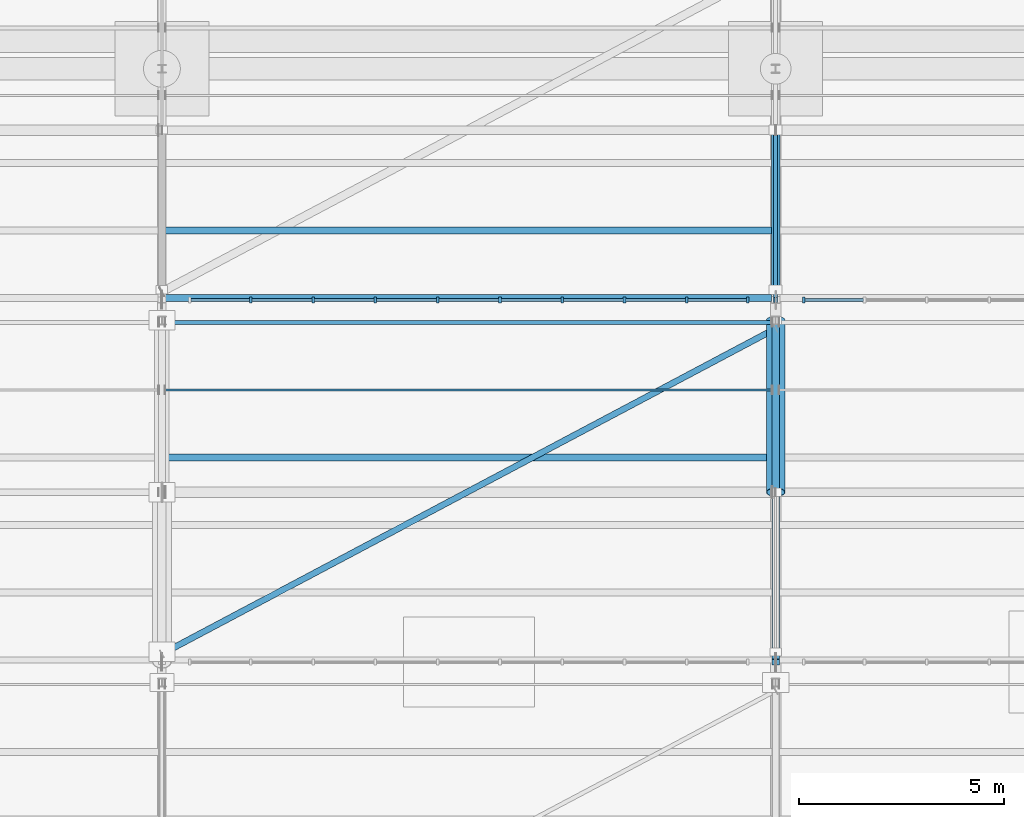
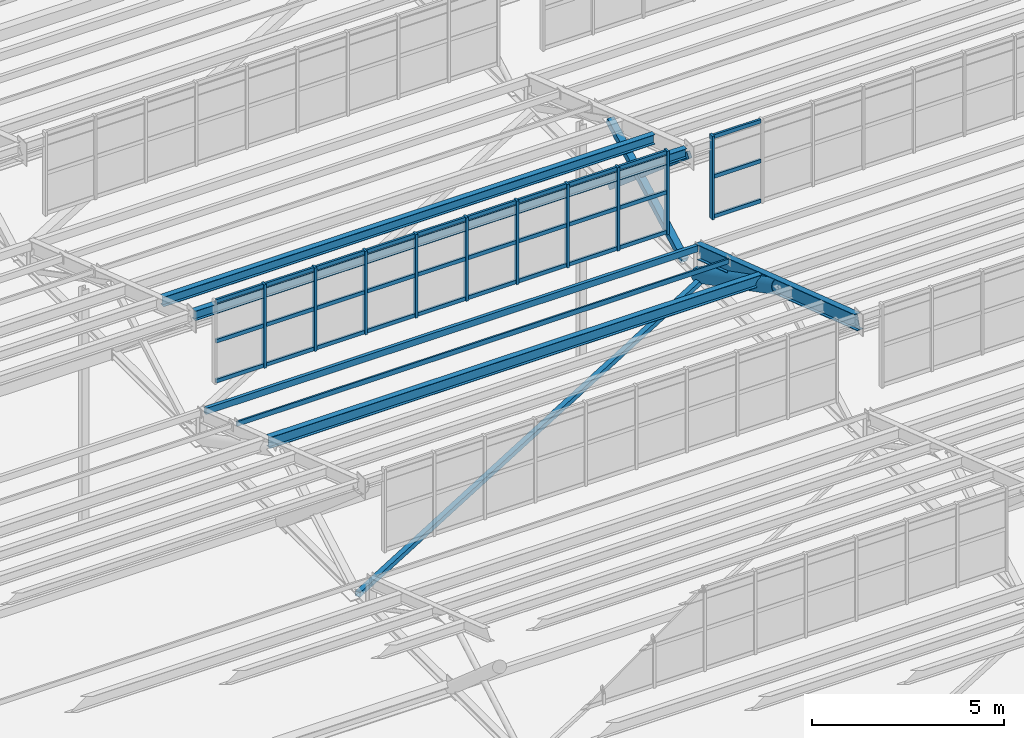
# One storey, part 64 of 285: 44 members, 6 beams, 2 elements without a shape of their own.
"""IFC4 building model written with IfcOpenShell, lengths in metres."""

from ifc_helpers import new_model, si_unit, direction, frame, origin, origin_2d, place, context, subcontext, project, spatial, rectangle, hollow_rectangle, hollow_circle, i_section, extrude, material, material_profile, profile_set, type_object, element, aggregate, save


model = new_model("IFC4")

# Units and contexts
model_context = context("Model", 3, precision=1e-05, world=origin(), true_north=direction((0.0, 1.0)))
body_context = subcontext(model_context, "Body", "Model", "MODEL_VIEW")
ifc_project = project(units=[si_unit("LENGTHUNIT", "METRE"), si_unit("AREAUNIT", "SQUARE_METRE"), si_unit("VOLUMEUNIT", "CUBIC_METRE"), si_unit("PLANEANGLEUNIT", "RADIAN"), si_unit("MASSUNIT", "GRAM", prefix="KILO")], contexts=[model_context])

# Site, building, storey
site_placement = place(None, origin())
site = spatial("IfcSite", under=ifc_project, at=site_placement, CompositionType="ELEMENT")
building_placement = place(site_placement, origin())
building = spatial("IfcBuilding", under=site, at=building_placement, Name="Solanera Park Tramway Depot", CompositionType="ELEMENT")
storey_placement = place(building_placement, origin())
storey = spatial("IfcBuildingStorey", under=building, at=storey_placement, Name="L00", CompositionType="ELEMENT", Elevation=0.0)

# Curtain wall, members
ifc_material_1 = material(Name="Bronze-anodised thermally broken aluminium curtain wall", Category="aluminium")
curtain_wall_type = type_object("IfcCurtainWallType", Name="Sawtooth Clerestory Monitor Curtain Wall", PredefinedType="NOTDEFINED", material=ifc_material_1)
curtain_wall_1_placement = place(storey_placement, origin())
curtain_wall_1 = element("IfcCurtainWall", 1, at=curtain_wall_1_placement, inside=storey, type_object=curtain_wall_type, Name="L00 Sawtooth Clerestory Monitor Curtain Wall #044", PredefinedType="NOTDEFINED")
ifc_material_2 = material(Name="Bronze-anodised structural aluminium 6063-T6", Category="aluminium")
ifc_material_profile_1 = material_profile(ifc_material_2, rectangle(XDim=0.06494140625, YDim=0.14990234375, at=origin_2d()), Name="Curtain Wall Mullion 65x150")
ifc_profile_set_1 = profile_set([ifc_material_profile_1], Name="Bronze-anodised structural aluminium 6063-T6")
member_type_1 = type_object("IfcMemberType", Name="Curtain Wall Mullion 65x150", PredefinedType="MULLION", material=ifc_profile_set_1)
member_1_placement = place(storey_placement, frame((17.172119140625, 108.85009765625, 7.75), z_axis=(0.0, 0.0, 1.0), x_axis=(1.0, 0.0, 0.0)))
member_1 = element("IfcMember", 2, at=member_1_placement, type_object=member_type_1, Name="CW-L00-044 Mullion 2", PredefinedType="MULLION", context=body_context, shape_type="SweptSolid", body=[
    extrude(rectangle(XDim=0.06494140625, YDim=0.14990234375, at=origin_2d()), origin(), (0.0, 0.0, 1.0), 2.6611328125),
])
member_2_placement = place(storey_placement, frame((18.6943359375, 108.85009765625, 7.75), z_axis=(0.0, 0.0, 1.0), x_axis=(1.0, 0.0, 0.0)))
member_2 = element("IfcMember", 3, at=member_2_placement, type_object=member_type_1, Name="CW-L00-044 Mullion 3", PredefinedType="MULLION", context=body_context, shape_type="SweptSolid", body=[
    extrude(rectangle(XDim=0.06494140625, YDim=0.14990234375, at=origin_2d()), origin(), (0.0, 0.0, 1.0), 2.6611328125),
])
member_3_placement = place(storey_placement, frame((20.216796875, 108.85009765625, 7.75), z_axis=(0.0, 0.0, 1.0), x_axis=(1.0, 0.0, 0.0)))
member_3 = element("IfcMember", 4, at=member_3_placement, type_object=member_type_1, Name="CW-L00-044 Mullion 4", PredefinedType="MULLION", context=body_context, shape_type="SweptSolid", body=[
    extrude(rectangle(XDim=0.06494140625, YDim=0.14990234375, at=origin_2d()), origin(), (0.0, 0.0, 1.0), 2.6611328125),
])
member_4_placement = place(storey_placement, frame((21.739013671875, 108.85009765625, 7.75), z_axis=(0.0, 0.0, 1.0), x_axis=(1.0, 0.0, 0.0)))
member_4 = element("IfcMember", 5, at=member_4_placement, type_object=member_type_1, Name="CW-L00-044 Mullion 5", PredefinedType="MULLION", context=body_context, shape_type="SweptSolid", body=[
    extrude(rectangle(XDim=0.06494140625, YDim=0.14990234375, at=origin_2d()), origin(), (0.0, 0.0, 1.0), 2.6611328125),
])
member_5_placement = place(storey_placement, frame((23.260986328125, 108.85009765625, 7.75), z_axis=(0.0, 0.0, 1.0), x_axis=(1.0, 0.0, 0.0)))
member_5 = element("IfcMember", 6, at=member_5_placement, type_object=member_type_1, Name="CW-L00-044 Mullion 6", PredefinedType="MULLION", context=body_context, shape_type="SweptSolid", body=[
    extrude(rectangle(XDim=0.06494140625, YDim=0.14990234375, at=origin_2d()), origin(), (0.0, 0.0, 1.0), 2.6611328125),
])
member_6_placement = place(storey_placement, frame((24.783203125, 108.85009765625, 7.75), z_axis=(0.0, 0.0, 1.0), x_axis=(1.0, 0.0, 0.0)))
member_6 = element("IfcMember", 7, at=member_6_placement, type_object=member_type_1, Name="CW-L00-044 Mullion 7", PredefinedType="MULLION", context=body_context, shape_type="SweptSolid", body=[
    extrude(rectangle(XDim=0.06494140625, YDim=0.14990234375, at=origin_2d()), origin(), (0.0, 0.0, 1.0), 2.6611328125),
])
member_7_placement = place(storey_placement, frame((26.3056640625, 108.85009765625, 7.75), z_axis=(0.0, 0.0, 1.0), x_axis=(1.0, 0.0, 0.0)))
member_7 = element("IfcMember", 8, at=member_7_placement, type_object=member_type_1, Name="CW-L00-044 Mullion 8", PredefinedType="MULLION", context=body_context, shape_type="SweptSolid", body=[
    extrude(rectangle(XDim=0.06494140625, YDim=0.14990234375, at=origin_2d()), origin(), (0.0, 0.0, 1.0), 2.6611328125),
])
member_8_placement = place(storey_placement, frame((27.827880859375, 108.85009765625, 7.75), z_axis=(0.0, 0.0, 1.0), x_axis=(1.0, 0.0, 0.0)))
member_8 = element("IfcMember", 9, at=member_8_placement, type_object=member_type_1, Name="CW-L00-044 Mullion 9", PredefinedType="MULLION", context=body_context, shape_type="SweptSolid", body=[
    extrude(rectangle(XDim=0.06494140625, YDim=0.14990234375, at=origin_2d()), origin(), (0.0, 0.0, 1.0), 2.6611328125),
])
member_9_placement = place(storey_placement, frame((29.3173828125, 108.85009765625, 7.75), z_axis=(0.0, 0.0, 1.0), x_axis=(1.0, 0.0, 0.0)))
member_9 = element("IfcMember", 10, at=member_9_placement, type_object=member_type_1, Name="CW-L00-044 Mullion 10", PredefinedType="MULLION", context=body_context, shape_type="SweptSolid", body=[
    extrude(rectangle(XDim=0.06494140625, YDim=0.14990234375, at=origin_2d()), origin(), (0.0, 0.0, 1.0), 2.6611328125),
])

# Curtain wall, member
curtain_wall_2_placement = place(storey_placement, origin())
curtain_wall_2 = element("IfcCurtainWall", 11, at=curtain_wall_2_placement, inside=storey, type_object=curtain_wall_type, Name="L00 Sawtooth Clerestory Monitor Curtain Wall #045", PredefinedType="NOTDEFINED")
member_10_placement = place(storey_placement, frame((30.6826171875, 108.85009765625, 7.75), z_axis=(0.0, 0.0, 1.0), x_axis=(1.0, 0.0, 0.0)))
member_10 = element("IfcMember", 12, at=member_10_placement, type_object=member_type_1, Name="CW-L00-045 Mullion 1", PredefinedType="MULLION", context=body_context, shape_type="SweptSolid", body=[
    extrude(rectangle(XDim=0.06494140625, YDim=0.14990234375, at=origin_2d()), origin(), (0.0, 0.0, 1.0), 2.6611328125),
])

# Member
ifc_material_3 = material(Name="Bronze-anodised structural aluminium 6063-T6", Category="aluminium")
ifc_material_profile_2 = material_profile(ifc_material_3, rectangle(XDim=0.06494140625, YDim=0.1201171875, at=origin_2d()), Name="Curtain Wall Transom 65x120")
ifc_profile_set_2 = profile_set([ifc_material_profile_2], Name="Bronze-anodised structural aluminium 6063-T6")
member_type_2 = type_object("IfcMemberType", Name="Curtain Wall Transom 65x120", PredefinedType="USERDEFINED", material=ifc_profile_set_2)
member_11_placement = place(storey_placement, frame((15.71044921875, 108.85009765625, 7.81005859375), z_axis=(1.0, 0.0, 0.0), x_axis=(0.0, 1.0, 0.0)))
member_11 = element("IfcMember", 13, at=member_11_placement, type_object=member_type_2, Name="CW-L00-044 Transom R1.C1", ObjectType="TRANSOM", PredefinedType="USERDEFINED", context=body_context, shape_type="SweptSolid", body=[
    extrude(rectangle(XDim=0.06494140625, YDim=0.1201171875, at=origin_2d()), origin(), (0.0, 0.0, 1.0), 1.433837890625),
])

member_12_placement = place(storey_placement, frame((17.2001953125, 108.85009765625, 7.81005859375), z_axis=(1.0, 0.0, 0.0), x_axis=(0.0, 1.0, 0.0)))
member_12 = element("IfcMember", 14, at=member_12_placement, type_object=member_type_2, Name="CW-L00-044 Transom R1.C2", ObjectType="TRANSOM", PredefinedType="USERDEFINED", context=body_context, shape_type="SweptSolid", body=[
    extrude(rectangle(XDim=0.06494140625, YDim=0.1201171875, at=origin_2d()), origin(), (0.0, 0.0, 1.0), 1.46630859375),
])

member_13_placement = place(storey_placement, frame((18.722412109375, 108.85009765625, 7.81005859375), z_axis=(1.0, 0.0, 0.0), x_axis=(0.0, 1.0, 0.0)))
member_13 = element("IfcMember", 15, at=member_13_placement, type_object=member_type_2, Name="CW-L00-044 Transom R1.C3", ObjectType="TRANSOM", PredefinedType="USERDEFINED", context=body_context, shape_type="SweptSolid", body=[
    extrude(rectangle(XDim=0.06494140625, YDim=0.1201171875, at=origin_2d()), origin(), (0.0, 0.0, 1.0), 1.46630859375),
])

member_14_placement = place(storey_placement, frame((20.24462890625, 108.85009765625, 7.81005859375), z_axis=(1.0, 0.0, 0.0), x_axis=(0.0, 1.0, 0.0)))
member_14 = element("IfcMember", 16, at=member_14_placement, type_object=member_type_2, Name="CW-L00-044 Transom R1.C4", ObjectType="TRANSOM", PredefinedType="USERDEFINED", context=body_context, shape_type="SweptSolid", body=[
    extrude(rectangle(XDim=0.06494140625, YDim=0.1201171875, at=origin_2d()), origin(), (0.0, 0.0, 1.0), 1.46630859375),
])

member_15_placement = place(storey_placement, frame((21.766845703125, 108.85009765625, 7.81005859375), z_axis=(1.0, 0.0, 0.0), x_axis=(0.0, 1.0, 0.0)))
member_15 = element("IfcMember", 17, at=member_15_placement, type_object=member_type_2, Name="CW-L00-044 Transom R1.C5", ObjectType="TRANSOM", PredefinedType="USERDEFINED", context=body_context, shape_type="SweptSolid", body=[
    extrude(rectangle(XDim=0.06494140625, YDim=0.1201171875, at=origin_2d()), origin(), (0.0, 0.0, 1.0), 1.46630859375),
])

member_16_placement = place(storey_placement, frame((23.2890625, 108.85009765625, 7.81005859375), z_axis=(1.0, 0.0, 0.0), x_axis=(0.0, 1.0, 0.0)))
member_16 = element("IfcMember", 18, at=member_16_placement, type_object=member_type_2, Name="CW-L00-044 Transom R1.C6", ObjectType="TRANSOM", PredefinedType="USERDEFINED", context=body_context, shape_type="SweptSolid", body=[
    extrude(rectangle(XDim=0.06494140625, YDim=0.1201171875, at=origin_2d()), origin(), (0.0, 0.0, 1.0), 1.46630859375),
])

member_17_placement = place(storey_placement, frame((24.811279296875, 108.85009765625, 7.81005859375), z_axis=(1.0, 0.0, 0.0), x_axis=(0.0, 1.0, 0.0)))
member_17 = element("IfcMember", 19, at=member_17_placement, type_object=member_type_2, Name="CW-L00-044 Transom R1.C7", ObjectType="TRANSOM", PredefinedType="USERDEFINED", context=body_context, shape_type="SweptSolid", body=[
    extrude(rectangle(XDim=0.06494140625, YDim=0.1201171875, at=origin_2d()), origin(), (0.0, 0.0, 1.0), 1.46630859375),
])

member_18_placement = place(storey_placement, frame((26.33349609375, 108.85009765625, 7.81005859375), z_axis=(1.0, 0.0, 0.0), x_axis=(0.0, 1.0, 0.0)))
member_18 = element("IfcMember", 20, at=member_18_placement, type_object=member_type_2, Name="CW-L00-044 Transom R1.C8", ObjectType="TRANSOM", PredefinedType="USERDEFINED", context=body_context, shape_type="SweptSolid", body=[
    extrude(rectangle(XDim=0.06494140625, YDim=0.1201171875, at=origin_2d()), origin(), (0.0, 0.0, 1.0), 1.46630859375),
])

member_19_placement = place(storey_placement, frame((27.855712890625, 108.85009765625, 7.81005859375), z_axis=(1.0, 0.0, 0.0), x_axis=(0.0, 1.0, 0.0)))
member_19 = element("IfcMember", 21, at=member_19_placement, type_object=member_type_2, Name="CW-L00-044 Transom R1.C9", ObjectType="TRANSOM", PredefinedType="USERDEFINED", context=body_context, shape_type="SweptSolid", body=[
    extrude(rectangle(XDim=0.06494140625, YDim=0.1201171875, at=origin_2d()), origin(), (0.0, 0.0, 1.0), 1.433837890625),
])

member_20_placement = place(storey_placement, frame((15.71044921875, 108.85009765625, 9.08056640625), z_axis=(1.0, 0.0, 0.0), x_axis=(0.0, 1.0, 0.0)))
member_20 = element("IfcMember", 22, at=member_20_placement, type_object=member_type_2, Name="CW-L00-044 Transom R2.C1", ObjectType="TRANSOM", PredefinedType="USERDEFINED", context=body_context, shape_type="SweptSolid", body=[
    extrude(rectangle(XDim=0.06494140625, YDim=0.1201171875, at=origin_2d()), origin(), (0.0, 0.0, 1.0), 1.433837890625),
])

member_21_placement = place(storey_placement, frame((17.2001953125, 108.85009765625, 9.08056640625), z_axis=(1.0, 0.0, 0.0), x_axis=(0.0, 1.0, 0.0)))
member_21 = element("IfcMember", 23, at=member_21_placement, type_object=member_type_2, Name="CW-L00-044 Transom R2.C2", ObjectType="TRANSOM", PredefinedType="USERDEFINED", context=body_context, shape_type="SweptSolid", body=[
    extrude(rectangle(XDim=0.06494140625, YDim=0.1201171875, at=origin_2d()), origin(), (0.0, 0.0, 1.0), 1.46630859375),
])

member_22_placement = place(storey_placement, frame((18.722412109375, 108.85009765625, 9.08056640625), z_axis=(1.0, 0.0, 0.0), x_axis=(0.0, 1.0, 0.0)))
member_22 = element("IfcMember", 24, at=member_22_placement, type_object=member_type_2, Name="CW-L00-044 Transom R2.C3", ObjectType="TRANSOM", PredefinedType="USERDEFINED", context=body_context, shape_type="SweptSolid", body=[
    extrude(rectangle(XDim=0.06494140625, YDim=0.1201171875, at=origin_2d()), origin(), (0.0, 0.0, 1.0), 1.46630859375),
])

member_23_placement = place(storey_placement, frame((20.24462890625, 108.85009765625, 9.08056640625), z_axis=(1.0, 0.0, 0.0), x_axis=(0.0, 1.0, 0.0)))
member_23 = element("IfcMember", 25, at=member_23_placement, type_object=member_type_2, Name="CW-L00-044 Transom R2.C4", ObjectType="TRANSOM", PredefinedType="USERDEFINED", context=body_context, shape_type="SweptSolid", body=[
    extrude(rectangle(XDim=0.06494140625, YDim=0.1201171875, at=origin_2d()), origin(), (0.0, 0.0, 1.0), 1.46630859375),
])

member_24_placement = place(storey_placement, frame((21.766845703125, 108.85009765625, 9.08056640625), z_axis=(1.0, 0.0, 0.0), x_axis=(0.0, 1.0, 0.0)))
member_24 = element("IfcMember", 26, at=member_24_placement, type_object=member_type_2, Name="CW-L00-044 Transom R2.C5", ObjectType="TRANSOM", PredefinedType="USERDEFINED", context=body_context, shape_type="SweptSolid", body=[
    extrude(rectangle(XDim=0.06494140625, YDim=0.1201171875, at=origin_2d()), origin(), (0.0, 0.0, 1.0), 1.46630859375),
])

member_25_placement = place(storey_placement, frame((23.2890625, 108.85009765625, 9.08056640625), z_axis=(1.0, 0.0, 0.0), x_axis=(0.0, 1.0, 0.0)))
member_25 = element("IfcMember", 27, at=member_25_placement, type_object=member_type_2, Name="CW-L00-044 Transom R2.C6", ObjectType="TRANSOM", PredefinedType="USERDEFINED", context=body_context, shape_type="SweptSolid", body=[
    extrude(rectangle(XDim=0.06494140625, YDim=0.1201171875, at=origin_2d()), origin(), (0.0, 0.0, 1.0), 1.46630859375),
])

member_26_placement = place(storey_placement, frame((24.811279296875, 108.85009765625, 9.08056640625), z_axis=(1.0, 0.0, 0.0), x_axis=(0.0, 1.0, 0.0)))
member_26 = element("IfcMember", 28, at=member_26_placement, type_object=member_type_2, Name="CW-L00-044 Transom R2.C7", ObjectType="TRANSOM", PredefinedType="USERDEFINED", context=body_context, shape_type="SweptSolid", body=[
    extrude(rectangle(XDim=0.06494140625, YDim=0.1201171875, at=origin_2d()), origin(), (0.0, 0.0, 1.0), 1.46630859375),
])

member_27_placement = place(storey_placement, frame((26.33349609375, 108.85009765625, 9.08056640625), z_axis=(1.0, 0.0, 0.0), x_axis=(0.0, 1.0, 0.0)))
member_27 = element("IfcMember", 29, at=member_27_placement, type_object=member_type_2, Name="CW-L00-044 Transom R2.C8", ObjectType="TRANSOM", PredefinedType="USERDEFINED", context=body_context, shape_type="SweptSolid", body=[
    extrude(rectangle(XDim=0.06494140625, YDim=0.1201171875, at=origin_2d()), origin(), (0.0, 0.0, 1.0), 1.46630859375),
])

member_28_placement = place(storey_placement, frame((27.855712890625, 108.85009765625, 9.08056640625), z_axis=(1.0, 0.0, 0.0), x_axis=(0.0, 1.0, 0.0)))
member_28 = element("IfcMember", 30, at=member_28_placement, type_object=member_type_2, Name="CW-L00-044 Transom R2.C9", ObjectType="TRANSOM", PredefinedType="USERDEFINED", context=body_context, shape_type="SweptSolid", body=[
    extrude(rectangle(XDim=0.06494140625, YDim=0.1201171875, at=origin_2d()), origin(), (0.0, 0.0, 1.0), 1.433837890625),
])

member_29_placement = place(storey_placement, frame((15.71044921875, 108.85009765625, 10.351318359375), z_axis=(1.0, 0.0, 0.0), x_axis=(0.0, 1.0, 0.0)))
member_29 = element("IfcMember", 31, at=member_29_placement, type_object=member_type_2, Name="CW-L00-044 Transom R3.C1", ObjectType="TRANSOM", PredefinedType="USERDEFINED", context=body_context, shape_type="SweptSolid", body=[
    extrude(rectangle(XDim=0.06494140625, YDim=0.1201171875, at=origin_2d()), origin(), (0.0, 0.0, 1.0), 1.433837890625),
])

member_30_placement = place(storey_placement, frame((17.2001953125, 108.85009765625, 10.351318359375), z_axis=(1.0, 0.0, 0.0), x_axis=(0.0, 1.0, 0.0)))
member_30 = element("IfcMember", 32, at=member_30_placement, type_object=member_type_2, Name="CW-L00-044 Transom R3.C2", ObjectType="TRANSOM", PredefinedType="USERDEFINED", context=body_context, shape_type="SweptSolid", body=[
    extrude(rectangle(XDim=0.06494140625, YDim=0.1201171875, at=origin_2d()), origin(), (0.0, 0.0, 1.0), 1.46630859375),
])

member_31_placement = place(storey_placement, frame((18.722412109375, 108.85009765625, 10.351318359375), z_axis=(1.0, 0.0, 0.0), x_axis=(0.0, 1.0, 0.0)))
member_31 = element("IfcMember", 33, at=member_31_placement, type_object=member_type_2, Name="CW-L00-044 Transom R3.C3", ObjectType="TRANSOM", PredefinedType="USERDEFINED", context=body_context, shape_type="SweptSolid", body=[
    extrude(rectangle(XDim=0.06494140625, YDim=0.1201171875, at=origin_2d()), origin(), (0.0, 0.0, 1.0), 1.46630859375),
])

member_32_placement = place(storey_placement, frame((20.24462890625, 108.85009765625, 10.351318359375), z_axis=(1.0, 0.0, 0.0), x_axis=(0.0, 1.0, 0.0)))
member_32 = element("IfcMember", 34, at=member_32_placement, type_object=member_type_2, Name="CW-L00-044 Transom R3.C4", ObjectType="TRANSOM", PredefinedType="USERDEFINED", context=body_context, shape_type="SweptSolid", body=[
    extrude(rectangle(XDim=0.06494140625, YDim=0.1201171875, at=origin_2d()), origin(), (0.0, 0.0, 1.0), 1.46630859375),
])

member_33_placement = place(storey_placement, frame((21.766845703125, 108.85009765625, 10.351318359375), z_axis=(1.0, 0.0, 0.0), x_axis=(0.0, 1.0, 0.0)))
member_33 = element("IfcMember", 35, at=member_33_placement, type_object=member_type_2, Name="CW-L00-044 Transom R3.C5", ObjectType="TRANSOM", PredefinedType="USERDEFINED", context=body_context, shape_type="SweptSolid", body=[
    extrude(rectangle(XDim=0.06494140625, YDim=0.1201171875, at=origin_2d()), origin(), (0.0, 0.0, 1.0), 1.46630859375),
])

member_34_placement = place(storey_placement, frame((23.2890625, 108.85009765625, 10.351318359375), z_axis=(1.0, 0.0, 0.0), x_axis=(0.0, 1.0, 0.0)))
member_34 = element("IfcMember", 36, at=member_34_placement, type_object=member_type_2, Name="CW-L00-044 Transom R3.C6", ObjectType="TRANSOM", PredefinedType="USERDEFINED", context=body_context, shape_type="SweptSolid", body=[
    extrude(rectangle(XDim=0.06494140625, YDim=0.1201171875, at=origin_2d()), origin(), (0.0, 0.0, 1.0), 1.46630859375),
])

member_35_placement = place(storey_placement, frame((24.811279296875, 108.85009765625, 10.351318359375), z_axis=(1.0, 0.0, 0.0), x_axis=(0.0, 1.0, 0.0)))
member_35 = element("IfcMember", 37, at=member_35_placement, type_object=member_type_2, Name="CW-L00-044 Transom R3.C7", ObjectType="TRANSOM", PredefinedType="USERDEFINED", context=body_context, shape_type="SweptSolid", body=[
    extrude(rectangle(XDim=0.06494140625, YDim=0.1201171875, at=origin_2d()), origin(), (0.0, 0.0, 1.0), 1.46630859375),
])

member_36_placement = place(storey_placement, frame((26.33349609375, 108.85009765625, 10.351318359375), z_axis=(1.0, 0.0, 0.0), x_axis=(0.0, 1.0, 0.0)))
member_36 = element("IfcMember", 38, at=member_36_placement, type_object=member_type_2, Name="CW-L00-044 Transom R3.C8", ObjectType="TRANSOM", PredefinedType="USERDEFINED", context=body_context, shape_type="SweptSolid", body=[
    extrude(rectangle(XDim=0.06494140625, YDim=0.1201171875, at=origin_2d()), origin(), (0.0, 0.0, 1.0), 1.46630859375),
])

member_37_placement = place(storey_placement, frame((27.855712890625, 108.85009765625, 10.351318359375), z_axis=(1.0, 0.0, 0.0), x_axis=(0.0, 1.0, 0.0)))
member_37 = element("IfcMember", 39, at=member_37_placement, type_object=member_type_2, Name="CW-L00-044 Transom R3.C9", ObjectType="TRANSOM", PredefinedType="USERDEFINED", context=body_context, shape_type="SweptSolid", body=[
    extrude(rectangle(XDim=0.06494140625, YDim=0.1201171875, at=origin_2d()), origin(), (0.0, 0.0, 1.0), 1.433837890625),
])

aggregate(curtain_wall_1, [member_1, member_2, member_3, member_4, member_5, member_6, member_7, member_8, member_9, member_11, member_12, member_13, member_14, member_15, member_16, member_17, member_18, member_19, member_20, member_21, member_22, member_23, member_24, member_25, member_26, member_27, member_28, member_29, member_30, member_31, member_32, member_33, member_34, member_35, member_36, member_37])

member_38_placement = place(storey_placement, frame((30.71044921875, 108.85009765625, 7.81005859375), z_axis=(1.0, 0.0, 0.0), x_axis=(0.0, 1.0, 0.0)))
member_38 = element("IfcMember", 40, at=member_38_placement, type_object=member_type_2, Name="CW-L00-045 Transom R1.C1", ObjectType="TRANSOM", PredefinedType="USERDEFINED", context=body_context, shape_type="SweptSolid", body=[
    extrude(rectangle(XDim=0.06494140625, YDim=0.1201171875, at=origin_2d()), origin(), (0.0, 0.0, 1.0), 1.433837890625),
])

member_39_placement = place(storey_placement, frame((30.71044921875, 108.85009765625, 9.08056640625), z_axis=(1.0, 0.0, 0.0), x_axis=(0.0, 1.0, 0.0)))
member_39 = element("IfcMember", 41, at=member_39_placement, type_object=member_type_2, Name="CW-L00-045 Transom R2.C1", ObjectType="TRANSOM", PredefinedType="USERDEFINED", context=body_context, shape_type="SweptSolid", body=[
    extrude(rectangle(XDim=0.06494140625, YDim=0.1201171875, at=origin_2d()), origin(), (0.0, 0.0, 1.0), 1.433837890625),
])

member_40_placement = place(storey_placement, frame((30.71044921875, 108.85009765625, 10.351318359375), z_axis=(1.0, 0.0, 0.0), x_axis=(0.0, 1.0, 0.0)))
member_40 = element("IfcMember", 42, at=member_40_placement, type_object=member_type_2, Name="CW-L00-045 Transom R3.C1", ObjectType="TRANSOM", PredefinedType="USERDEFINED", context=body_context, shape_type="SweptSolid", body=[
    extrude(rectangle(XDim=0.06494140625, YDim=0.1201171875, at=origin_2d()), origin(), (0.0, 0.0, 1.0), 1.433837890625),
])

aggregate(curtain_wall_2, [member_10, member_38, member_39, member_40])

ifc_material_4 = material(Name="Steel AS/NZS 1163 Grade C350L0", Category="steel")
ifc_material_profile_3 = material_profile(ifc_material_4, hollow_rectangle(XDim=0.199951171875, YDim=0.199951171875, WallThickness=0.008056640625, at=origin_2d()), Name="200x200x8.0 SHS")
ifc_profile_set_3 = profile_set([ifc_material_profile_3], Name="Steel AS/NZS 1163 Grade C350L0")
member_type_3 = type_object("IfcMemberType", Name="Roof Gantry Compression Strut 200x200x8.0 SHS", PredefinedType="STRUT", material=ifc_profile_set_3)
member_41_placement = place(storey_placement, frame((30.0, 109.10009765625, 6.5), z_axis=(0.0, 0.877666599941, 0.479271675929), x_axis=(-1.0, 0.0, 0.0)))
element("IfcMember", 43, at=member_41_placement, inside=storey, type_object=member_type_3, Name="Sawtooth ROOF TRUSS Strut 200x200x8.0 SHS #0281", PredefinedType="STRUT", context=body_context, shape_type="SweptSolid", body=[
    extrude(hollow_rectangle(XDim=0.199951171875, YDim=0.199951171875, WallThickness=0.008056640625, at=origin_2d()), origin(), (0.0, 0.0, 1.0), 4.443603515625),
])

# Beams
ifc_material_5 = material(Name="Steel AS/NZS 3679.1 Grade 350", Category="steel")
ifc_material_profile_4 = material_profile(ifc_material_5, i_section(OverallWidth=0.1904296875, OverallDepth=0.45751953125, WebThickness=0.009033203125, FlangeThickness=0.014404296875, at=origin_2d()), Name="460UB74.6")
ifc_profile_set_4 = profile_set([ifc_material_profile_4], Name="Steel AS/NZS 3679.1 Grade 350")
beam_type_1 = type_object("IfcBeamType", Name="Steel Beam 460UB74.6", PredefinedType="BEAM", material=ifc_profile_set_4)
beam_1_placement = place(storey_placement, frame((30.0, 100.0, 10.05615234375), z_axis=(0.0, 0.948322229475, -0.317308917435), x_axis=(-1.0, 0.0, 0.0)))
element("IfcBeam", 44, at=beam_1_placement, inside=storey, type_object=beam_type_1, Name="Sawtooth ROOF TRUSS Top Rafter 460UB74.6 B06-T3", PredefinedType="BEAM", context=body_context, shape_type="SweptSolid", body=[
    extrude(i_section(OverallWidth=0.1904296875, OverallDepth=0.45751953125, WebThickness=0.009033203125, FlangeThickness=0.014404296875, at=origin_2d()), origin(), (0.0, 0.0, 1.0), 8.80517578125),
])
ifc_material_6 = material(Name="Steel AS/NZS 1163 Grade C350L0", Category="steel")
ifc_material_profile_5 = material_profile(ifc_material_6, hollow_rectangle(XDim=0.050048828125, YDim=0.14990234375, WallThickness=0.0048828125, at=origin_2d()), Name="150x50x5.0 RHS")
ifc_profile_set_5 = profile_set([ifc_material_profile_5], Name="Steel AS/NZS 1163 Grade C350L0")
beam_type_2 = type_object("IfcBeamType", Name="Steel Joist Purlin 150x50x5.0 RHS", PredefinedType="JOIST", material=ifc_profile_set_5)
beam_2_placement = place(storey_placement, frame((15.080810546875, 106.64990234375, 7.998291015625), z_axis=(1.0, 0.0, 0.0), x_axis=(0.0, 1.0, 0.0)))
element("IfcBeam", 45, at=beam_2_placement, inside=storey, type_object=beam_type_2, Name="Sawtooth Roof Purlin 150x50x5.0 RHS B06.5", PredefinedType="JOIST", context=body_context, shape_type="SweptSolid", body=[
    extrude(hollow_rectangle(XDim=0.050048828125, YDim=0.14990234375, WallThickness=0.0048828125, at=origin_2d()), origin(), (0.0, 0.0, 1.0), 14.83203125),
])
ifc_material_7 = material(Name="Steel AS/NZS 1163 Grade C350L0", Category="steel")
ifc_material_profile_6 = material_profile(ifc_material_7, hollow_rectangle(XDim=0.10009765625, YDim=0.199951171875, WallThickness=0.006103515625, at=origin_2d()), Name="200x100x6.0 RHS")
ifc_profile_set_6 = profile_set([ifc_material_profile_6], Name="Steel AS/NZS 1163 Grade C350L0")
beam_type_3 = type_object("IfcBeamType", Name="Steel Joist Purlin 200x100x6.0 RHS", PredefinedType="JOIST", material=ifc_profile_set_6)
beam_3_placement = place(storey_placement, frame((15.080810546875, 108.300048828125, 7.412841796875), z_axis=(1.0, 0.0, 0.0), x_axis=(0.0, 1.0, 0.0)))
element("IfcBeam", 46, at=beam_3_placement, inside=storey, type_object=beam_type_3, Name="Sawtooth Roof Purlin 200x100x6.0 RHS B06.6", PredefinedType="JOIST", context=body_context, shape_type="SweptSolid", body=[
    extrude(hollow_rectangle(XDim=0.10009765625, YDim=0.199951171875, WallThickness=0.006103515625, at=origin_2d()), origin(), (0.0, 0.0, 1.0), 14.83203125),
])
ifc_material_8 = material(Name="Steel AS/NZS 3679.1 Grade 350", Category="steel")
ifc_material_profile_7 = material_profile(ifc_material_8, i_section(OverallWidth=0.1650390625, OverallDepth=0.3037109375, WebThickness=0.006103515625, FlangeThickness=0.01025390625, at=origin_2d()), Name="310UB40.4")
ifc_profile_set_7 = profile_set([ifc_material_profile_7], Name="Steel AS/NZS 3679.1 Grade 350")
beam_type_4 = type_object("IfcBeamType", Name="Steel Joist Purlin 310UB40.4", PredefinedType="JOIST", material=ifc_profile_set_7)
beam_4_placement = place(storey_placement, frame((15.087158203125, 108.89990234375, 10.110595703125), z_axis=(1.0, 0.0, 0.0), x_axis=(0.0, 1.0, 0.0)))
element("IfcBeam", 47, at=beam_4_placement, inside=storey, type_object=beam_type_4, Name="Sawtooth Roof Purlin 310UB40.4 B07.1", PredefinedType="JOIST", context=body_context, shape_type="SweptSolid", body=[
    extrude(i_section(OverallWidth=0.1650390625, OverallDepth=0.3037109375, WebThickness=0.006103515625, FlangeThickness=0.01025390625, at=origin_2d()), origin(), (0.0, 0.0, 1.0), 14.816162109375),
])
ifc_material_9 = material(Name="Steel AS/NZS 3679.1 Grade 350", Category="steel")
ifc_material_profile_8 = material_profile(ifc_material_9, i_section(OverallWidth=0.166015625, OverallDepth=0.30712890625, WebThickness=0.006591796875, FlangeThickness=0.01171875, at=origin_2d()), Name="310UB46.2")
ifc_profile_set_8 = profile_set([ifc_material_profile_8], Name="Steel AS/NZS 3679.1 Grade 350")
beam_type_5 = type_object("IfcBeamType", Name="Steel Joist Purlin 310UB46.2", PredefinedType="JOIST", material=ifc_profile_set_8)
beam_5_placement = place(storey_placement, frame((15.087158203125, 110.550048828125, 9.556640625), z_axis=(1.0, 0.0, 0.0), x_axis=(0.0, 1.0, 0.0)))
element("IfcBeam", 48, at=beam_5_placement, inside=storey, type_object=beam_type_5, Name="Sawtooth Roof Purlin 310UB46.2 B07.2", PredefinedType="JOIST", context=body_context, shape_type="SweptSolid", body=[
    extrude(i_section(OverallWidth=0.166015625, OverallDepth=0.30712890625, WebThickness=0.006591796875, FlangeThickness=0.01171875, at=origin_2d()), origin(), (0.0, 0.0, 1.0), 14.816162109375),
])
ifc_material_10 = material(Name="Steel AS/NZS 3679.1 Grade 350", Category="steel")
ifc_material_profile_9 = material_profile(ifc_material_10, i_section(OverallWidth=0.17138671875, OverallDepth=0.355712890625, WebThickness=0.00732421875, FlangeThickness=0.011474609375, at=origin_2d()), Name="360UB50.7")
ifc_profile_set_9 = profile_set([ifc_material_profile_9], Name="Steel AS/NZS 3679.1 Grade 350")
beam_type_6 = type_object("IfcBeamType", Name="Steel Joist Purlin 360UB50.7", PredefinedType="JOIST", material=ifc_profile_set_9)
beam_6_placement = place(storey_placement, frame((15.080810546875, 105.0, 8.42724609375), z_axis=(1.0, 0.0, 0.0), x_axis=(0.0, 1.0, 0.0)))
element("IfcBeam", 49, at=beam_6_placement, inside=storey, type_object=beam_type_6, Name="Sawtooth Roof Purlin 360UB50.7 B06.4", PredefinedType="JOIST", context=body_context, shape_type="SweptSolid", body=[
    extrude(i_section(OverallWidth=0.17138671875, OverallDepth=0.355712890625, WebThickness=0.00732421875, FlangeThickness=0.011474609375, at=origin_2d()), origin(), (0.0, 0.0, 1.0), 14.83203125),
])

# Members
ifc_material_11 = material(Name="Steel AS/NZS 1163 Grade C350L0", Category="steel")
ifc_material_profile_10 = material_profile(ifc_material_11, hollow_rectangle(XDim=0.14990234375, YDim=0.14990234375, WallThickness=0.006103515625, at=origin_2d()), Name="150x150x6.0 SHS")
ifc_profile_set_10 = profile_set([ifc_material_profile_10], Name="Steel AS/NZS 1163 Grade C350L0")
member_type_4 = type_object("IfcMemberType", Name="Truss and Frame Brace 150x150x6.0 SHS", PredefinedType="BRACE", material=ifc_profile_set_10)
member_42_placement = place(storey_placement, frame((15.001953125, 100.199951171875, 6.5), z_axis=(0.883523615038, 0.468386615598, 0.0), x_axis=(-0.468386615598, 0.883523615038, 0.0)))
element("IfcMember", 50, at=member_42_placement, inside=storey, type_object=member_type_4, Name="Roof Plane Cyclonic Brace 150x150x6.0 SHS #0261", PredefinedType="BRACE", context=body_context, shape_type="SweptSolid", body=[
    extrude(hollow_rectangle(XDim=0.14990234375, YDim=0.14990234375, WallThickness=0.006103515625, at=origin_2d()), origin(), (0.0, 0.0, 1.0), 16.97314453125),
])
ifc_material_12 = material(Name="Steel AS/NZS 1163 Grade C350L0", Category="steel")
ifc_material_profile_11 = material_profile(ifc_material_12, hollow_rectangle(XDim=0.10009765625, YDim=0.199951171875, WallThickness=0.006103515625, at=origin_2d()), Name="200x100x6.0 RHS")
ifc_profile_set_11 = profile_set([ifc_material_profile_11], Name="Steel AS/NZS 1163 Grade C350L0")
member_type_5 = type_object("IfcMemberType", Name="Truss and Frame Brace 200x100x6.0 RHS", PredefinedType="BRACE", material=ifc_profile_set_11)
member_43_placement = place(storey_placement, frame((30.0, 113.0, 6.5), z_axis=(0.0, -0.762764662408, 0.646676170724), x_axis=(1.0, 0.0, 0.0)))
element("IfcMember", 51, at=member_43_placement, inside=storey, type_object=member_type_5, Name="Sawtooth ROOF TRUSS Web Brace 200x100x6.0 RHS #0279", PredefinedType="BRACE", context=body_context, shape_type="SweptSolid", body=[
    extrude(hollow_rectangle(XDim=0.10009765625, YDim=0.199951171875, WallThickness=0.006103515625, at=origin_2d()), origin(), (0.0, 0.0, 1.0), 5.440673828125),
])
ifc_material_13 = material(Name="Steel AS/NZS 1163 Grade C350L0", Category="steel")
ifc_material_profile_12 = material_profile(ifc_material_13, hollow_circle(Radius=0.228515625, WallThickness=0.0126953125, at=origin_2d()), Name="457.0x12.7 CHS")
ifc_profile_set_12 = profile_set([ifc_material_profile_12], Name="Steel AS/NZS 1163 Grade C350L0")
member_type_6 = type_object("IfcMemberType", Name="Truss and Frame Brace 457.0x12.7 CHS", PredefinedType="BRACE", material=ifc_profile_set_12)
member_44_placement = place(storey_placement, frame((30.0, 108.35009765625, 6.5), z_axis=(0.0, -0.888651893443, 0.45858239421), x_axis=(1.0, 0.0, 0.0)))
element("IfcMember", 52, at=member_44_placement, inside=storey, type_object=member_type_6, Name="Sawtooth ROOF TRUSS Diagonal 457.0x12.7 CHS #0233", PredefinedType="BRACE", context=body_context, shape_type="SweptSolid", body=[
    extrude(hollow_circle(Radius=0.228515625, WallThickness=0.0126953125, at=origin_2d()), origin(), (0.0, 0.0, 1.0), 4.7265625),
])

save(model, "model.ifc")
